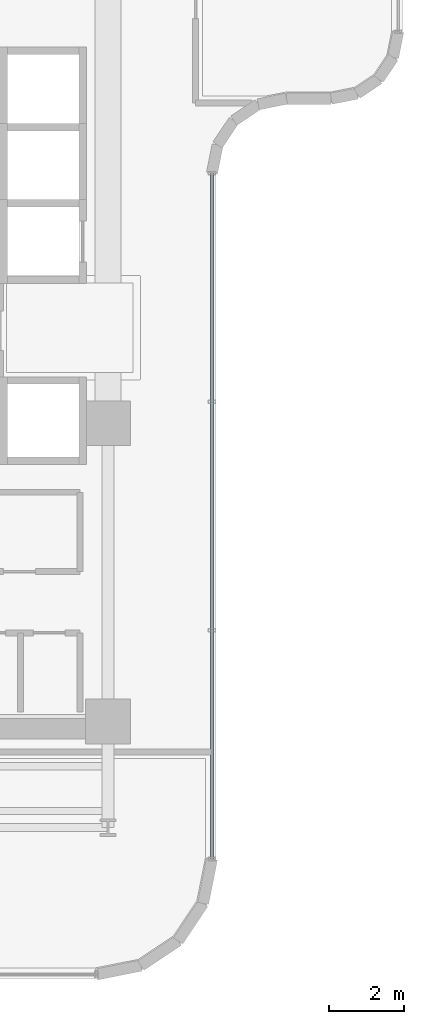
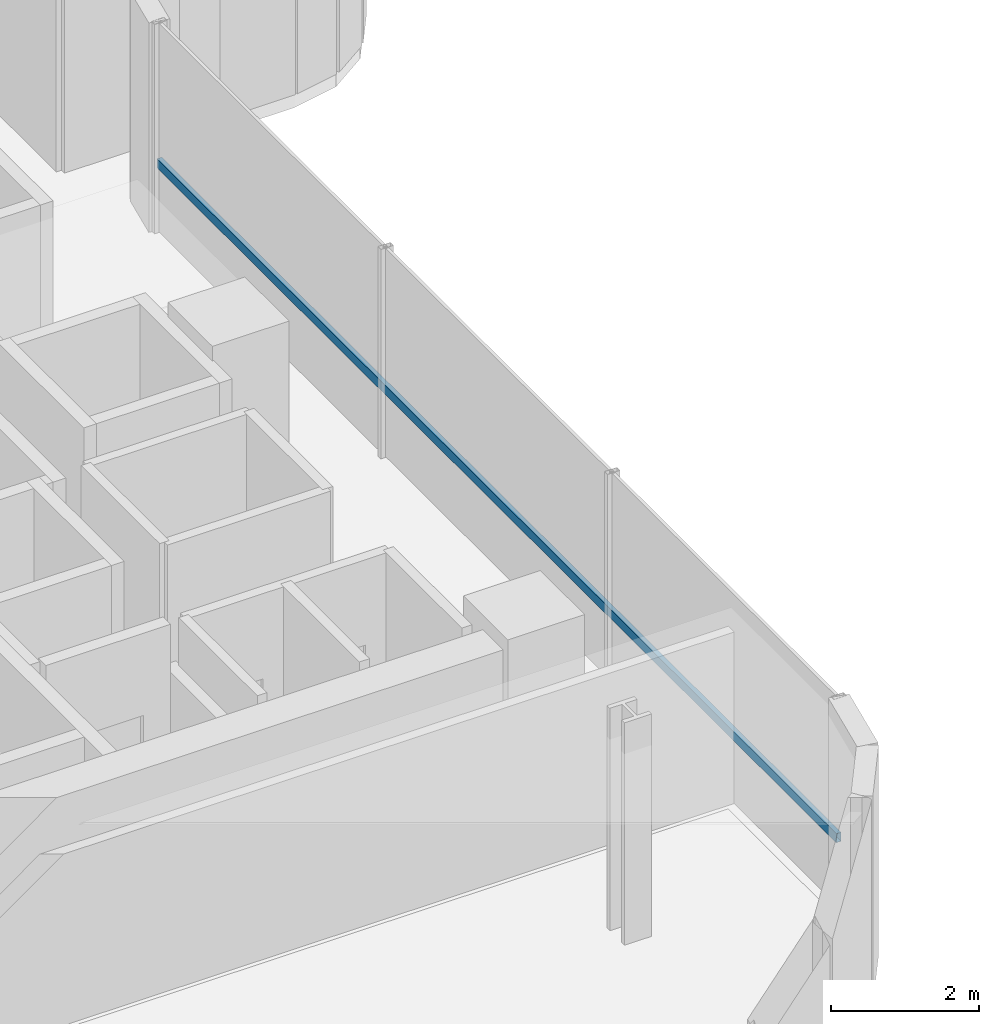
# One storey, part 6 of 34: 1 member, 1 element without a shape of its own.
"""IFC4 building model written with IfcOpenShell, lengths in metres."""

import ifcopenshell
import ifcopenshell.guid

model = None  # the IFC model being written
_history = None  # IfcOwnerHistory: only IFC2X3 demands one
_inside = {}  # id of a spatial element -> (the spatial element, [elements in it])
_under = {}  # id of a project, library or spatial element -> (it, [spatial elements below it])
_declared = {}  # id of a project -> (the project, [libraries it declares])
_typed = {}  # id of a type object -> (the type object, [elements of that type])
_made_of = {}  # id of a material, layer set ... -> (it, [elements and type objects made of it])


def new_model(schema):
    """Start an empty IFC model of exactly this schema.

    Asked for "IFC4X3", IfcOpenShell would pick the latest addendum, in which some entities
    have other attributes; the version numbers below select the first issue.
    IFC2X3 requires an IfcOwnerHistory on every rooted entity: one is made here for all.
    """
    global model, _history
    if schema == "IFC4X3":
        model = ifcopenshell.file(schema_version=(4, 3, 0, 0))
    else:
        model = ifcopenshell.file(schema=schema)
    _inside.clear()
    _under.clear()
    _declared.clear()
    _typed.clear()
    _made_of.clear()
    _history = None
    if model.schema == "IFC2X3":
        org = make("IfcOrganization", Name="unknown")
        user = make(
            "IfcPersonAndOrganization",
            ThePerson=make("IfcPerson", FamilyName="unknown"),
            TheOrganization=org,
        )
        app = make(
            "IfcApplication",
            ApplicationDeveloper=org,
            Version="unknown",
            ApplicationFullName="unknown",
            ApplicationIdentifier="unknown",
        )
        _history = make(
            "IfcOwnerHistory",
            OwningUser=user,
            OwningApplication=app,
            ChangeAction="ADDED",
            CreationDate=0,
        )
    return model


def make(cls, **values):
    """One entity of the class cls with the attributes given. An attribute that is None is left unset."""
    return model.create_entity(
        cls, **{name: value for name, value in values.items() if value is not None}
    )


def rooted(cls, **values):
    """An entity with a GlobalId (a new one), such as an element, a storey or a relation."""
    return make(cls, GlobalId=ifcopenshell.guid.new(), OwnerHistory=_history, **values)


def si_unit(unit_type, name, prefix=None):
    """IfcSIUnit, for example si_unit("LENGTHUNIT", "METRE", prefix="MILLI")."""
    return make("IfcSIUnit", UnitType=unit_type, Prefix=prefix, Name=name)


def assignment(units):
    """IfcUnitAssignment: the units of a project."""
    return None if units is None else make("IfcUnitAssignment", Units=units)


def point(xyz):
    """IfcCartesianPoint."""
    return None if xyz is None else make("IfcCartesianPoint", Coordinates=xyz)


def direction(xyz):
    """IfcDirection."""
    return None if xyz is None else make("IfcDirection", DirectionRatios=xyz)


def frame(location, z_axis=None, x_axis=None):
    """IfcAxis2Placement3D, a coordinate frame: its origin and axes. An axis left out is left unset."""
    return make(
        "IfcAxis2Placement3D",
        Location=point(location),
        Axis=direction(z_axis),
        RefDirection=direction(x_axis),
    )


def frame_2d(location, x_axis=None):
    """IfcAxis2Placement2D, a coordinate frame in the plane: its origin and x axis."""
    return make(
        "IfcAxis2Placement2D", Location=point(location), RefDirection=direction(x_axis)
    )


def origin():
    """The frame at (0, 0, 0) with its axes left unset."""
    return frame((0.0, 0.0, 0.0))


def origin_2d():
    """The frame at (0, 0) in the plane with its x axis left unset."""
    return frame_2d((0.0, 0.0))


def place(relative_to, where):
    """IfcLocalPlacement: puts the frame where relative to a parent placement (None: the world)."""
    return make(
        "IfcLocalPlacement", PlacementRelTo=relative_to, RelativePlacement=where
    )


def context(
    kind, dimensions, precision=None, world=None, true_north=None, identifier=None
):
    """IfcGeometricRepresentationContext, for example the 3D "Model" context."""
    return make(
        "IfcGeometricRepresentationContext",
        ContextIdentifier=identifier,
        ContextType=kind,
        CoordinateSpaceDimension=dimensions,
        Precision=precision,
        WorldCoordinateSystem=world,
        TrueNorth=true_north,
    )


def subcontext(parent, identifier, kind, view, scale=None):
    """IfcGeometricRepresentationSubContext, for example "Body" below "Model"."""
    return make(
        "IfcGeometricRepresentationSubContext",
        ContextIdentifier=identifier,
        ContextType=kind,
        ParentContext=parent,
        TargetScale=scale,
        TargetView=view,
    )


def project(units=None, contexts=None):
    """IfcProject with its units and contexts."""
    return rooted(
        "IfcProject",
        Name="project",
        RepresentationContexts=contexts,
        UnitsInContext=assignment(units),
    )


def spatial(cls, under=None, at=None, **own):
    """A site, building, storey or space (cls), placed at a placement, below another one or the project."""
    s = rooted(cls, ObjectPlacement=at, **own)
    if under is not None:
        _under.setdefault(under.id(), (under, []))[1].append(s)
    return s


def profile(cls, at=None, kind="AREA", **sizes):
    """A parametric profile (cls). Its sizes go by their IFC names, for example OverallWidth=200.0."""
    return make(cls, ProfileType=kind, Position=at, **sizes)


def hollow_rectangle(**sizes):
    """IfcRectangleHollowProfileDef."""
    return profile("IfcRectangleHollowProfileDef", **sizes)


def extrude(swept, where, along, depth):
    """IfcExtrudedAreaSolid: the profile swept, set in the frame where, extruded along a direction by depth."""
    return make(
        "IfcExtrudedAreaSolid",
        SweptArea=swept,
        Position=where,
        ExtrudedDirection=direction(along),
        Depth=depth,
    )


def shape(context_of_items, identifier, shape_type, items):
    """IfcShapeRepresentation: the items that make up one representation, for example the "Body"."""
    return make(
        "IfcShapeRepresentation",
        ContextOfItems=context_of_items,
        RepresentationIdentifier=identifier,
        RepresentationType=shape_type,
        Items=items,
    )


def source(mapping_origin, context_of_items, identifier, shape_type, items):
    """IfcRepresentationMap: a shape defined once, which mapped items show again and again."""
    return make(
        "IfcRepresentationMap",
        MappingOrigin=mapping_origin,
        MappedRepresentation=shape(context_of_items, identifier, shape_type, items),
    )


def transform(
    local_origin,
    x_axis=None,
    y_axis=None,
    z_axis=None,
    scale=None,
    scale2=None,
    scale3=None,
    uniform=True,
):
    """IfcCartesianTransformationOperator3D, or its non-uniform kind. x_axis, y_axis, z_axis: its Axis1, 2, 3."""
    if uniform:
        return make(
            "IfcCartesianTransformationOperator3D",
            Axis1=direction(x_axis),
            Axis2=direction(y_axis),
            LocalOrigin=point(local_origin),
            Scale=scale,
            Axis3=direction(z_axis),
        )
    return make(
        "IfcCartesianTransformationOperator3DnonUniform",
        Axis1=direction(x_axis),
        Axis2=direction(y_axis),
        LocalOrigin=point(local_origin),
        Scale=scale,
        Axis3=direction(z_axis),
        Scale2=scale2,
        Scale3=scale3,
    )


def mapped(mapping_source, mapping_target):
    """IfcMappedItem: shows the shape of a source again, moved by a transform."""
    return make(
        "IfcMappedItem", MappingSource=mapping_source, MappingTarget=mapping_target
    )


def material(Name=None, Category=None):
    """IfcMaterial."""
    return make("IfcMaterial", Name=Name, Category=Category)


def material_profile(
    of_material, cross_section, Name=None, Category=None, Priority=None
):
    """IfcMaterialProfile: a cross section and its material."""
    return make(
        "IfcMaterialProfile",
        Name=Name,
        Material=of_material,
        Profile=cross_section,
        Priority=Priority,
        Category=Category,
    )


def profile_set(profiles, Name=None, composite=None):
    """IfcMaterialProfileSet."""
    return make(
        "IfcMaterialProfileSet",
        Name=Name,
        MaterialProfiles=profiles,
        CompositeProfile=composite,
    )


def made_of(thing, what):
    """Note that an element or type object is made of a material, layer set ...; save() writes the relation."""
    if what is not None:
        _made_of.setdefault(what.id(), (what, []))[1].append(thing)
    return thing


def type_object(cls, material=None, **own):
    """A type object (cls), such as IfcWallType, which elements share."""
    return made_of(rooted(cls, **own), material)


def element(
    cls,
    number,
    at=None,
    inside=None,
    cuts=None,
    type_object=None,
    material=None,
    context=None,
    identifier="Body",
    shape_type=None,
    held_by="IfcProductDefinitionShape",
    body=None,
    shapes=None,
    **own,
):
    """One element of the class cls, such as IfcWall. Its Tag is "e" and its number.

    at: its placement. inside: the storey or other place that contains it. cuts: it is an
    opening in that element (IfcRelVoidsElement). A single representation is given by context,
    identifier, shape_type and body (its items); several are given by shapes. held_by: the class
    of the entity that holds the representations. save() writes the other relations.
    """
    e = rooted(cls, Tag="e%d" % number, ObjectPlacement=at, **own)
    if body is not None:
        shapes = [shape(context, identifier, shape_type, body)]
    if shapes is not None:
        e.Representation = make(held_by, Representations=shapes)
    if inside is not None:
        _inside.setdefault(inside.id(), (inside, []))[1].append(e)
    if cuts is not None:
        rooted(
            "IfcRelVoidsElement", RelatingBuildingElement=cuts, RelatedOpeningElement=e
        )
    if type_object is not None:
        _typed.setdefault(type_object.id(), (type_object, []))[1].append(e)
    return made_of(e, material)


def aggregate(whole, parts):
    """IfcRelAggregates: a whole, such as a stair, and the parts it consists of."""
    return rooted("IfcRelAggregates", RelatingObject=whole, RelatedObjects=parts)


def save(model, path):
    """Write the relations noted so far, then the file.

    IfcRelAggregates (storeys below a building ...), IfcRelContainedInSpatialStructure (elements
    in a storey), IfcRelDefinesByType, IfcRelAssociatesMaterial and IfcRelDeclares: one each for
    every whole, place, type object, material and project.
    """
    for whole, parts in _under.values():
        aggregate(whole, parts)
    for where, things in _inside.values():
        rooted(
            "IfcRelContainedInSpatialStructure",
            RelatedElements=things,
            RelatingStructure=where,
        )
    for kind, things in _typed.values():
        rooted("IfcRelDefinesByType", RelatedObjects=things, RelatingType=kind)
    for what, things in _made_of.values():
        rooted("IfcRelAssociatesMaterial", RelatedObjects=things, RelatingMaterial=what)
    for by, libraries in _declared.values():
        rooted("IfcRelDeclares", RelatingContext=by, RelatedDefinitions=libraries)
    model.write(path)


model = new_model("IFC4")

# Units and contexts
model_context = context("Model", 3, precision=1e-05, world=origin(), true_north=direction((0.0, 1.0)))
body_context = subcontext(model_context, "Body", "Model", "MODEL_VIEW")
ifc_project = project(units=[si_unit("LENGTHUNIT", "METRE"), si_unit("AREAUNIT", "SQUARE_METRE"), si_unit("VOLUMEUNIT", "CUBIC_METRE"), si_unit("PLANEANGLEUNIT", "RADIAN"), si_unit("MASSUNIT", "GRAM", prefix="KILO")], contexts=[model_context])

# Site, building, storey
site_placement = place(None, origin())
site = spatial("IfcSite", under=ifc_project, at=site_placement, CompositionType="ELEMENT")
building_placement = place(site_placement, origin())
building = spatial("IfcBuilding", under=site, at=building_placement, Name="Valdorenza Pilgrim Sanctuary Tower", CompositionType="ELEMENT")
storey_placement = place(building_placement, frame((0.0, 0.0, 161.199951171875)))
storey = spatial("IfcBuildingStorey", under=building, at=storey_placement, Name="L41", CompositionType="ELEMENT", Elevation=161.199951171875)

# Curtain wall, member
ifc_material_1 = material(Name="Curtain-wall IGU glazing", Category="glass")
curtain_wall_type = type_object("IfcCurtainWallType", Name="CW-SYS-02", PredefinedType="NOTDEFINED", material=ifc_material_1)
curtain_wall_placement = place(storey_placement, origin())
curtain_wall = element("IfcCurtainWall", 1, at=curtain_wall_placement, inside=storey, type_object=curtain_wall_type, Name="L41 Curtain Wall CW-L41-1-21", PredefinedType="NOTDEFINED")
ifc_material_2 = material(Name="Anodised aluminium AW-6060", Category="aluminium")
ifc_material_profile = material_profile(ifc_material_2, hollow_rectangle(XDim=0.074951171875, YDim=0.14990234375, WallThickness=0.00390625, at=origin_2d()), Name="ALU-T 150x75x4")
ifc_profile_set = profile_set([ifc_material_profile], Name="Anodised aluminium AW-6060")
member_type = type_object("IfcMemberType", Name="CW-TRN-02", PredefinedType="USERDEFINED", material=ifc_profile_set)
shared_shape = source(origin(), body_context, "Body", "SweptSolid", [
    extrude(hollow_rectangle(XDim=0.074951171875, YDim=0.14990234375, WallThickness=0.00390625, at=origin_2d()), origin(), (0.0, 0.0, 1.0), 18.400146484375),
])
member_placement = place(storey_placement, frame((-9.610107421875, 4.11083984375, 1.1201171875), z_axis=(0.0, -1.0, 0.0), x_axis=(1.0, 0.0, 0.0)))
member = element("IfcMember", 2, at=member_placement, type_object=member_type, Name="CW-L41-1-21 Transom 1", ObjectType="TRANSOM", PredefinedType="USERDEFINED", context=body_context, shape_type="MappedRepresentation", body=[
    mapped(shared_shape, transform((0.0, 0.0, 0.0), x_axis=(1.0, 0.0, 0.0), y_axis=(0.0, 1.0, 0.0), z_axis=(0.0, 0.0, 1.0), scale=1.0)),
])
aggregate(curtain_wall, [member])

save(model, "model.ifc")
